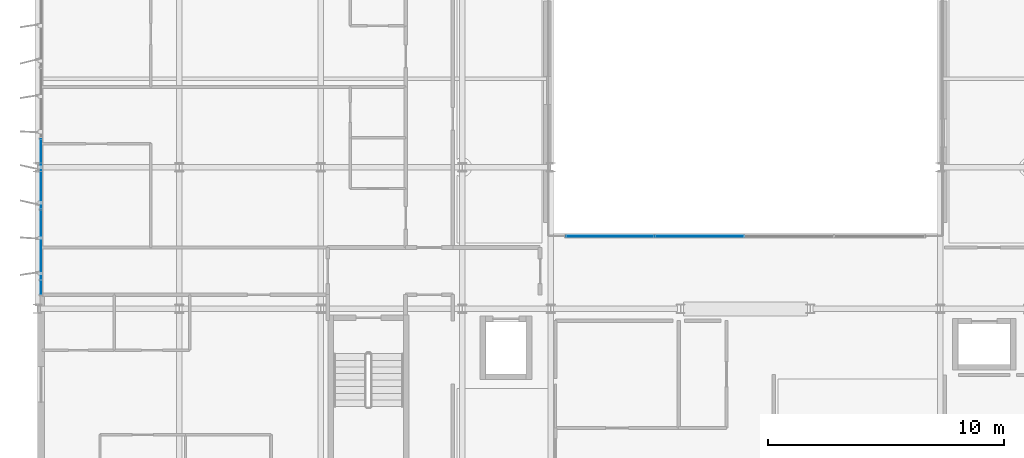
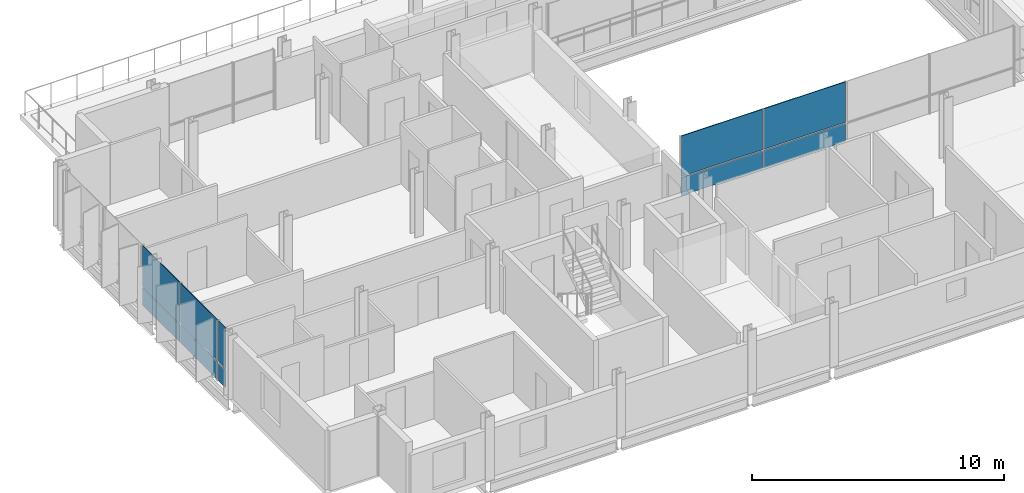
# One storey, part 25 of 38: 10 plates, 2 elements without a shape of their own.
"""IFC4 building model written with IfcOpenShell, lengths in metres."""

from ifc_helpers import new_model, si_unit, direction, frame, origin, origin_2d, place, context, subcontext, project, spatial, rectangle, extrude, material, layer, layer_set, type_object, element, aggregate, save


model = new_model("IFC4")

# Units and contexts
model_context = context("Model", 3, precision=1e-05, world=origin(), true_north=direction((0.0, 1.0)))
body_context = subcontext(model_context, "Body", "Model", "MODEL_VIEW")
ifc_project = project(units=[si_unit("LENGTHUNIT", "METRE"), si_unit("AREAUNIT", "SQUARE_METRE"), si_unit("VOLUMEUNIT", "CUBIC_METRE"), si_unit("PLANEANGLEUNIT", "RADIAN"), si_unit("MASSUNIT", "GRAM", prefix="KILO")], contexts=[model_context])

# Site, building, storey
site_placement = place(None, origin())
site = spatial("IfcSite", under=ifc_project, at=site_placement, CompositionType="ELEMENT")
building_placement = place(site_placement, origin())
building = spatial("IfcBuilding", under=site, at=building_placement, Name="Brevholm Reach", CompositionType="ELEMENT")
storey_placement = place(building_placement, frame((0.0, 0.0, 172.800048828125)))
storey = spatial("IfcBuildingStorey", under=building, at=storey_placement, Name="L52", CompositionType="ELEMENT", Elevation=172.800048828125)

# Curtain wall, plates
ifc_material_1 = material(Name="Dark Anodised Aluminium 6063-T6 and Solar-Control Glass", Category="aluminium")
ifc_layer_1 = layer(ifc_material_1, 0.14990234375)
ifc_layer_set_1 = layer_set([ifc_layer_1], Name="Dark Anodised Aluminium 6063-T6 and Solar-Control Glass")
curtain_wall_type_1 = type_object("IfcCurtainWallType", Name="CW-01", PredefinedType="NOTDEFINED", material=ifc_layer_set_1)
curtain_wall_1_placement = place(storey_placement, origin())
curtain_wall_1 = element("IfcCurtainWall", 1, at=curtain_wall_1_placement, inside=storey, type_object=curtain_wall_type_1, Name="L52 Curtain Wall CW-01", PredefinedType="NOTDEFINED")
ifc_material_2 = material(Name="Dark Solar-Control Double-Glazed IGU Glass", Category="glass")
ifc_layer_2 = layer(ifc_material_2, 0.028076171875)
ifc_layer_set_2 = layer_set([ifc_layer_2], Name="Dark Solar-Control Double-Glazed IGU Glass")
plate_type_1 = type_object("IfcPlateType", Name="CWP-GLZ-28", PredefinedType="CURTAIN_PANEL", material=ifc_layer_set_2)
plate_1_placement = place(storey_placement, frame((0.14990234375, 15.719970703125, 0.0), z_axis=(0.0, 0.0, 1.0), x_axis=(0.0, -1.0, 0.0)))
plate_1 = element("IfcPlate", 2, at=plate_1_placement, type_object=plate_type_1, Name="CP-01 Glazing Panel 3.1", PredefinedType="CURTAIN_PANEL", context=body_context, shape_type="SweptSolid", body=[
    extrude(rectangle(XDim=2.93505859375, YDim=0.028076171875, at=origin_2d()), origin(), (0.0, 0.0, 1.0), 0.867431640625),
])
plate_2_placement = place(storey_placement, frame((0.14990234375, 15.719970703125, 0.932373046875), z_axis=(0.0, 0.0, 1.0), x_axis=(0.0, -1.0, 0.0)))
plate_2 = element("IfcPlate", 3, at=plate_2_placement, type_object=plate_type_1, Name="CP-01 Glazing Panel 3.2", PredefinedType="CURTAIN_PANEL", context=body_context, shape_type="SweptSolid", body=[
    extrude(rectangle(XDim=2.93505859375, YDim=0.028076171875, at=origin_2d()), origin(), (0.0, 0.0, 1.0), 1.95751953125),
])
plate_3_placement = place(storey_placement, frame((0.14990234375, 12.719970703125, 0.0), z_axis=(0.0, 0.0, 1.0), x_axis=(0.0, -1.0, 0.0)))
plate_3 = element("IfcPlate", 4, at=plate_3_placement, type_object=plate_type_1, Name="CP-01 Glazing Panel 4.1", PredefinedType="CURTAIN_PANEL", context=body_context, shape_type="SweptSolid", body=[
    extrude(rectangle(XDim=2.93505859375, YDim=0.028076171875, at=origin_2d()), origin(), (0.0, 0.0, 1.0), 0.867431640625),
])
plate_4_placement = place(storey_placement, frame((0.14990234375, 12.719970703125, 0.932373046875), z_axis=(0.0, 0.0, 1.0), x_axis=(0.0, -1.0, 0.0)))
plate_4 = element("IfcPlate", 5, at=plate_4_placement, type_object=plate_type_1, Name="CP-01 Glazing Panel 4.2", PredefinedType="CURTAIN_PANEL", context=body_context, shape_type="SweptSolid", body=[
    extrude(rectangle(XDim=2.93505859375, YDim=0.028076171875, at=origin_2d()), origin(), (0.0, 0.0, 1.0), 1.95751953125),
])
plate_5_placement = place(storey_placement, frame((0.14990234375, 10.9013671875, 0.0), z_axis=(0.0, 0.0, 1.0), x_axis=(0.0, -1.0, 0.0)))
plate_5 = element("IfcPlate", 6, at=plate_5_placement, type_object=plate_type_1, Name="CP-01 Glazing Panel 5.1", PredefinedType="CURTAIN_PANEL", context=body_context, shape_type="SweptSolid", body=[
    extrude(rectangle(XDim=0.572509765625, YDim=0.028076171875, at=origin_2d()), origin(), (0.0, 0.0, 1.0), 0.867431640625),
])
plate_6_placement = place(storey_placement, frame((0.14990234375, 10.9013671875, 0.932373046875), z_axis=(0.0, 0.0, 1.0), x_axis=(0.0, -1.0, 0.0)))
plate_6 = element("IfcPlate", 7, at=plate_6_placement, type_object=plate_type_1, Name="CP-01 Glazing Panel 5.2", PredefinedType="CURTAIN_PANEL", context=body_context, shape_type="SweptSolid", body=[
    extrude(rectangle(XDim=0.572509765625, YDim=0.028076171875, at=origin_2d()), origin(), (0.0, 0.0, 1.0), 1.95751953125),
])
aggregate(curtain_wall_1, [plate_1, plate_2, plate_3, plate_4, plate_5, plate_6])

ifc_material_3 = material(Name="Dark Anodised Aluminium 6063-T6 and Solar-Control Glass", Category="aluminium")
ifc_layer_3 = layer(ifc_material_3, 0.139892578125)
ifc_layer_set_3 = layer_set([ifc_layer_3], Name="Dark Anodised Aluminium 6063-T6 and Solar-Control Glass")
curtain_wall_type_2 = type_object("IfcCurtainWallType", Name="CW-02", PredefinedType="NOTDEFINED", material=ifc_layer_set_3)
curtain_wall_2_placement = place(storey_placement, origin())
curtain_wall_2 = element("IfcCurtainWall", 8, at=curtain_wall_2_placement, inside=storey, type_object=curtain_wall_type_2, Name="L52 Curtain Wall CW-02", PredefinedType="NOTDEFINED")
ifc_material_4 = material(Name="Low-Iron Laminated Acoustic Glass", Category="glass")
ifc_layer_4 = layer(ifc_material_4, 0.035888671875)
ifc_layer_set_4 = layer_set([ifc_layer_4], Name="Low-Iron Laminated Acoustic Glass")
plate_type_2 = type_object("IfcPlateType", Name="CWP-GLZ-36", PredefinedType="CURTAIN_PANEL", material=ifc_layer_set_4)
plate_7_placement = place(storey_placement, frame((24.264892578125, 13.080078125, 0.0), z_axis=(0.0, 0.0, 1.0), x_axis=(1.0, 0.0, 0.0)))
plate_7 = element("IfcPlate", 9, at=plate_7_placement, type_object=plate_type_2, Name="CP-02 Glazing Panel 1.1", PredefinedType="CURTAIN_PANEL", context=body_context, shape_type="SweptSolid", body=[
    extrude(rectangle(XDim=3.7099609375, YDim=0.035888671875, at=origin_2d()), origin(), (0.0, 0.0, 1.0), 0.8701171875),
])
plate_8_placement = place(storey_placement, frame((24.264892578125, 13.080078125, 0.929931640625), z_axis=(0.0, 0.0, 1.0), x_axis=(1.0, 0.0, 0.0)))
plate_8 = element("IfcPlate", 10, at=plate_8_placement, type_object=plate_type_2, Name="CP-02 Glazing Panel 1.2", PredefinedType="CURTAIN_PANEL", context=body_context, shape_type="SweptSolid", body=[
    extrude(rectangle(XDim=3.7099609375, YDim=0.035888671875, at=origin_2d()), origin(), (0.0, 0.0, 1.0), 1.9599609375),
])
plate_9_placement = place(storey_placement, frame((28.050048828125, 13.080078125, 0.0), z_axis=(0.0, 0.0, 1.0), x_axis=(1.0, 0.0, 0.0)))
plate_9 = element("IfcPlate", 11, at=plate_9_placement, type_object=plate_type_2, Name="CP-02 Glazing Panel 2.1", PredefinedType="CURTAIN_PANEL", context=body_context, shape_type="SweptSolid", body=[
    extrude(rectangle(XDim=3.739990234375, YDim=0.035888671875, at=origin_2d()), origin(), (0.0, 0.0, 1.0), 0.8701171875),
])
plate_10_placement = place(storey_placement, frame((28.050048828125, 13.080078125, 0.929931640625), z_axis=(0.0, 0.0, 1.0), x_axis=(1.0, 0.0, 0.0)))
plate_10 = element("IfcPlate", 12, at=plate_10_placement, type_object=plate_type_2, Name="CP-02 Glazing Panel 2.2", PredefinedType="CURTAIN_PANEL", context=body_context, shape_type="SweptSolid", body=[
    extrude(rectangle(XDim=3.739990234375, YDim=0.035888671875, at=origin_2d()), origin(), (0.0, 0.0, 1.0), 1.9599609375),
])
aggregate(curtain_wall_2, [plate_7, plate_8, plate_9, plate_10])

save(model, "model.ifc")
